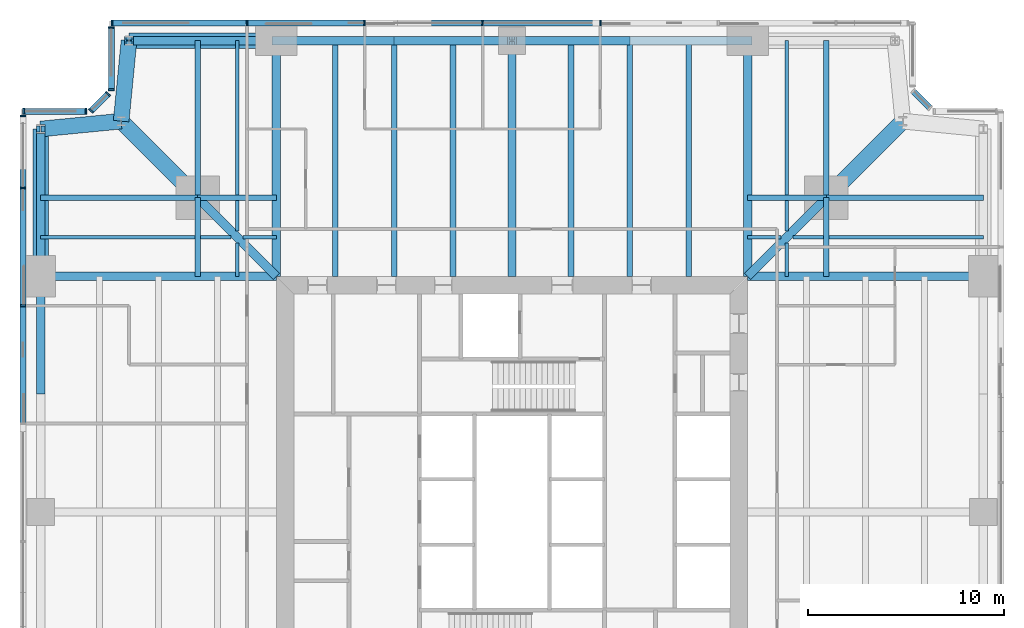
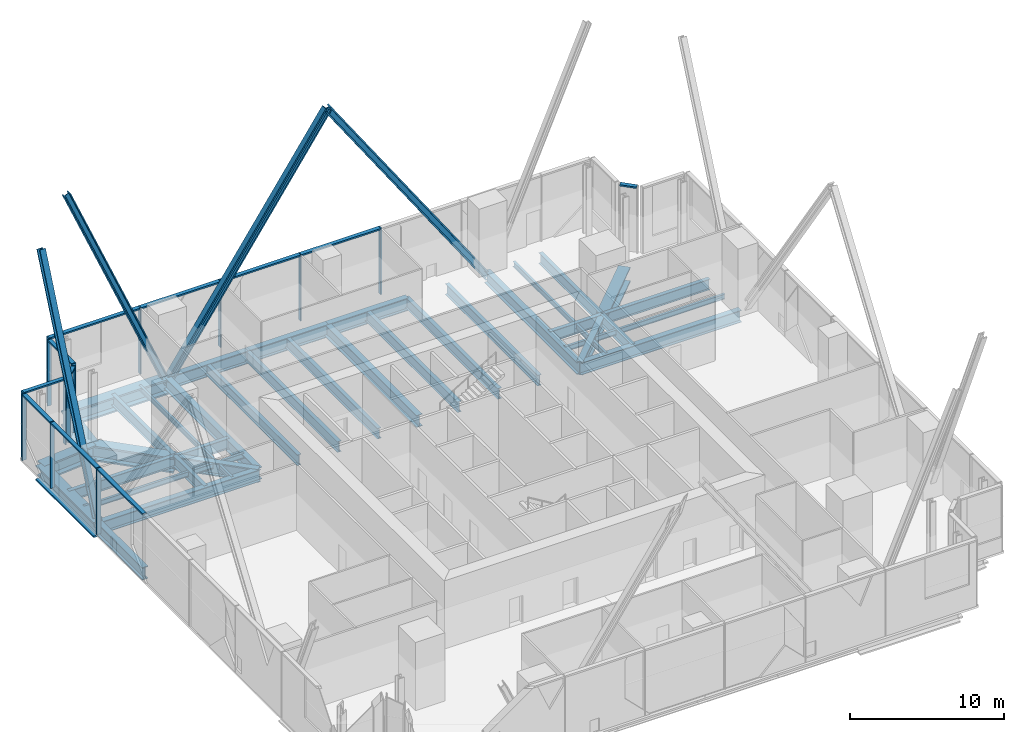
# One storey, part 4 of 13: 43 beams, 29 members, 6 elements without a shape of their own.
"""IFC4 building model written with IfcOpenShell, lengths in metres."""

from ifc_helpers import new_model, si_unit, direction, frame, origin, origin_2d, place, context, subcontext, project, spatial, rectangle, i_section, extrude, material, material_profile, profile_set, type_object, element, aggregate, save


model = new_model("IFC4")

# Units and contexts
model_context = context("Model", 3, precision=1e-05, world=origin(), true_north=direction((0.0, 1.0)))
body_context = subcontext(model_context, "Body", "Model", "MODEL_VIEW")
ifc_project = project(units=[si_unit("LENGTHUNIT", "METRE"), si_unit("AREAUNIT", "SQUARE_METRE"), si_unit("VOLUMEUNIT", "CUBIC_METRE"), si_unit("PLANEANGLEUNIT", "RADIAN"), si_unit("MASSUNIT", "GRAM", prefix="KILO")], contexts=[model_context])

# Site, building, storey
site_placement = place(None, origin())
site = spatial("IfcSite", under=ifc_project, at=site_placement, CompositionType="ELEMENT")
building_placement = place(site_placement, origin())
building = spatial("IfcBuilding", under=site, at=building_placement, Name="Fenwick Lantern Interchange", CompositionType="ELEMENT")
storey_placement = place(building_placement, frame((0.0, 0.0, 97.0)))
storey = spatial("IfcBuildingStorey", under=building, at=storey_placement, Name="L22", CompositionType="ELEMENT", Elevation=97.0)

# Members
ifc_material_1 = material(Name="Steel ASTM A992 Grade 50", Category="steel")
ifc_material_profile_1 = material_profile(ifc_material_1, i_section(OverallWidth=0.424072265625, OverallDepth=0.47509765625, WebThickness=0.0478515625, FlangeThickness=0.0771484375, at=origin_2d()), Name="W14X426")
ifc_profile_set_1 = profile_set([ifc_material_profile_1], Name="Steel ASTM A992 Grade 50")
member_type_1 = type_object("IfcMemberType", Name="FACADE BRACE W14X426", PredefinedType="BRACE", material=ifc_profile_set_1)
for number, where, z_axis, x_axis, name in (
    (1, (13.0, 49.0, -0.696533203125), (-0.394095795697, 0.0, 0.919069368336), (0.0, -1.0, 0.0), "L22/FB/N/BE"),
    (2, (1.0, 37.0, -0.696533203125), (0.0, 0.394095795697, 0.919069368336), (-1.0, 0.0, 0.0), "L22/FB/W/AE"),
):
    element("IfcMember", number, at=place(storey_placement, frame(where, z_axis=z_axis, x_axis=x_axis)), inside=storey, type_object=member_type_1, Name=name, PredefinedType="BRACE", context=body_context, shape_type="SweptSolid", body=[
        extrude(i_section(OverallWidth=0.424072265625, OverallDepth=0.47509765625, WebThickness=0.0478515625, FlangeThickness=0.0771484375, at=origin_2d()), origin(), (0.0, 0.0, 1.0), 19.031005859375),
    ])
ifc_material_profile_2 = material_profile(ifc_material_1, i_section(OverallWidth=0.44189453125, OverallDepth=0.53076171875, WebThickness=0.06591796875, FlangeThickness=0.105712890625, at=origin_2d()), Name="W14X605")
ifc_profile_set_2 = profile_set([ifc_material_profile_2], Name="Steel ASTM A992 Grade 50")
member_type_2 = type_object("IfcMemberType", Name="FACADE BRACE W14X605", PredefinedType="BRACE", material=ifc_profile_set_2)
for number, where, z_axis, x_axis, name in (
    (3, (37.0, 49.0, -0.696533203125), (-0.565732332995, 0.0, 0.824588944507), (0.0, -1.0, 0.0), "L22/FB/N/A"),
    (4, (13.0, 49.0, -0.696533203125), (0.565732332995, 0.0, 0.824588944507), (0.0, 1.0, 0.0), "L22/FB/N/B"),
):
    element("IfcMember", number, at=place(storey_placement, frame(where, z_axis=z_axis, x_axis=x_axis)), inside=storey, type_object=member_type_2, Name=name, PredefinedType="BRACE", context=body_context, shape_type="SweptSolid", body=[
        extrude(i_section(OverallWidth=0.44189453125, OverallDepth=0.53076171875, WebThickness=0.06591796875, FlangeThickness=0.105712890625, at=origin_2d()), origin(), (0.0, 0.0, 1.0), 21.21142578125),
    ])

# Beams
ifc_material_profile_3 = material_profile(ifc_material_1, i_section(OverallWidth=0.2919921875, OverallDepth=0.845703125, WebThickness=0.015380859375, FlangeThickness=0.0244140625, at=origin_2d()), Name="W33X141")
ifc_profile_set_3 = profile_set([ifc_material_profile_3], Name="Steel ASTM A992 Grade 50")
beam_type_1 = type_object("IfcBeamType", Name="FLOOR BEAM W33X141", PredefinedType="BEAM", material=ifc_profile_set_3)
for number, where, z_axis, x_axis, name in (
    (5, (34.0, 49.0, -0.622802734375), (0.0, -1.0, 0.0), (1.0, 0.0, 0.0), "L22/FR/N/R02"),
    (6, (31.0, 49.0, -0.622802734375), (0.0, -1.0, 0.0), (1.0, 0.0, 0.0), "L22/FR/N/R03"),
    (7, (28.0, 49.0, -0.622802734375), (0.0, -1.0, 0.0), (1.0, 0.0, 0.0), "L22/FR/N/R04"),
    (8, (22.0, 49.0, -0.622802734375), (0.0, -1.0, 0.0), (1.0, 0.0, 0.0), "L22/FR/N/R06"),
    (9, (19.0, 49.0, -0.622802734375), (0.0, -1.0, 0.0), (1.0, 0.0, 0.0), "L22/FR/N/R07"),
    (10, (16.0, 49.0, -0.622802734375), (0.0, -1.0, 0.0), (1.0, 0.0, 0.0), "L22/FR/N/R08"),
):
    element("IfcBeam", number, at=place(storey_placement, frame(where, z_axis=z_axis, x_axis=x_axis)), inside=storey, type_object=beam_type_1, Name=name, PredefinedType="BEAM", context=body_context, shape_type="SweptSolid", body=[
        extrude(i_section(OverallWidth=0.2919921875, OverallDepth=0.845703125, WebThickness=0.015380859375, FlangeThickness=0.0244140625, at=origin_2d()), origin(), (0.0, 0.0, 1.0), 12.0),
    ])
ifc_material_profile_4 = material_profile(ifc_material_1, i_section(OverallWidth=0.177734375, OverallDepth=0.406494140625, WebThickness=0.0078125, FlangeThickness=0.012939453125, at=origin_2d()), Name="W16X40")
ifc_profile_set_4 = profile_set([ifc_material_profile_4], Name="Steel ASTM A992 Grade 50")
beam_type_2 = type_object("IfcBeamType", Name="INFILL BEAM W16X40", PredefinedType="JOIST", material=ifc_profile_set_4)
beam_1_placement = place(storey_placement, frame((39.0, 49.0, -0.4033203125), z_axis=(0.0, -1.0, 0.0), x_axis=(1.0, 0.0, 0.0)))
element("IfcBeam", 11, at=beam_1_placement, inside=storey, type_object=beam_type_2, Name="L22/FR/N/J1", PredefinedType="JOIST", context=body_context, shape_type="SweptSolid", body=[
    extrude(i_section(OverallWidth=0.177734375, OverallDepth=0.406494140625, WebThickness=0.0078125, FlangeThickness=0.012939453125, at=origin_2d()), origin(), (0.0, 0.0, 1.0), 7.85400390625),
])
beam_2_placement = place(storey_placement, frame((39.0, 40.85400390625, -0.4033203125), z_axis=(0.0, -1.0, 0.0), x_axis=(1.0, 0.0, 0.0)))
element("IfcBeam", 12, at=beam_2_placement, inside=storey, type_object=beam_type_2, Name="L22/FR/N/J2", PredefinedType="JOIST", context=body_context, shape_type="SweptSolid", body=[
    extrude(i_section(OverallWidth=0.177734375, OverallDepth=0.406494140625, WebThickness=0.0078125, FlangeThickness=0.012939453125, at=origin_2d()), origin(), (0.0, 0.0, 1.0), 1.537841796875),
])
beam_3_placement = place(storey_placement, frame((39.0, 38.683837890625, -0.4033203125), z_axis=(0.0, -1.0, 0.0), x_axis=(1.0, 0.0, 0.0)))
element("IfcBeam", 13, at=beam_3_placement, inside=storey, type_object=beam_type_2, Name="L22/FR/N/J6", PredefinedType="JOIST", context=body_context, shape_type="SweptSolid", body=[
    extrude(i_section(OverallWidth=0.177734375, OverallDepth=0.406494140625, WebThickness=0.0078125, FlangeThickness=0.012939453125, at=origin_2d()), origin(), (0.0, 0.0, 1.0), 1.683837890625),
])
beam_4_placement = place(storey_placement, frame((49.0, 39.0, -0.4033203125), z_axis=(-1.0, 0.0, 0.0), x_axis=(0.0, -1.0, 0.0)))
element("IfcBeam", 14, at=beam_4_placement, inside=storey, type_object=beam_type_2, Name="L22/FR/N/J3", PredefinedType="JOIST", context=body_context, shape_type="SweptSolid", body=[
    extrude(i_section(OverallWidth=0.177734375, OverallDepth=0.406494140625, WebThickness=0.0078125, FlangeThickness=0.012939453125, at=origin_2d()), origin(), (0.0, 0.0, 1.0), 7.85400390625),
])
beam_5_placement = place(storey_placement, frame((40.85400390625, 39.0, -0.4033203125), z_axis=(-1.0, 0.0, 0.0), x_axis=(0.0, -1.0, 0.0)))
element("IfcBeam", 15, at=beam_5_placement, inside=storey, type_object=beam_type_2, Name="L22/FR/N/J4", PredefinedType="JOIST", context=body_context, shape_type="SweptSolid", body=[
    extrude(i_section(OverallWidth=0.177734375, OverallDepth=0.406494140625, WebThickness=0.0078125, FlangeThickness=0.012939453125, at=origin_2d()), origin(), (0.0, 0.0, 1.0), 1.537841796875),
])
beam_6_placement = place(storey_placement, frame((38.683837890625, 39.0, -0.4033203125), z_axis=(-1.0, 0.0, 0.0), x_axis=(0.0, -1.0, 0.0)))
element("IfcBeam", 16, at=beam_6_placement, inside=storey, type_object=beam_type_2, Name="L22/FR/N/J5", PredefinedType="JOIST", context=body_context, shape_type="SweptSolid", body=[
    extrude(i_section(OverallWidth=0.177734375, OverallDepth=0.406494140625, WebThickness=0.0078125, FlangeThickness=0.012939453125, at=origin_2d()), origin(), (0.0, 0.0, 1.0), 1.683837890625),
])
beam_7_placement = place(storey_placement, frame((1.0, 39.0, -0.4033203125), z_axis=(1.0, 0.0, 0.0), x_axis=(0.0, 1.0, 0.0)))
element("IfcBeam", 17, at=beam_7_placement, inside=storey, type_object=beam_type_2, Name="L22/FR/W/J1", PredefinedType="JOIST", context=body_context, shape_type="SweptSolid", body=[
    extrude(i_section(OverallWidth=0.177734375, OverallDepth=0.406494140625, WebThickness=0.0078125, FlangeThickness=0.012939453125, at=origin_2d()), origin(), (0.0, 0.0, 1.0), 7.85400390625),
])
beam_8_placement = place(storey_placement, frame((9.14599609375, 39.0, -0.4033203125), z_axis=(1.0, 0.0, 0.0), x_axis=(0.0, 1.0, 0.0)))
element("IfcBeam", 18, at=beam_8_placement, inside=storey, type_object=beam_type_2, Name="L22/FR/W/J2", PredefinedType="JOIST", context=body_context, shape_type="SweptSolid", body=[
    extrude(i_section(OverallWidth=0.177734375, OverallDepth=0.406494140625, WebThickness=0.0078125, FlangeThickness=0.012939453125, at=origin_2d()), origin(), (0.0, 0.0, 1.0), 1.537841796875),
])
beam_9_placement = place(storey_placement, frame((11.316162109375, 39.0, -0.4033203125), z_axis=(1.0, 0.0, 0.0), x_axis=(0.0, 1.0, 0.0)))
element("IfcBeam", 19, at=beam_9_placement, inside=storey, type_object=beam_type_2, Name="L22/FR/W/J6", PredefinedType="JOIST", context=body_context, shape_type="SweptSolid", body=[
    extrude(i_section(OverallWidth=0.177734375, OverallDepth=0.406494140625, WebThickness=0.0078125, FlangeThickness=0.012939453125, at=origin_2d()), origin(), (0.0, 0.0, 1.0), 1.683837890625),
])
beam_10_placement = place(storey_placement, frame((11.0, 49.0, -0.4033203125), z_axis=(0.0, -1.0, 0.0), x_axis=(1.0, 0.0, 0.0)))
element("IfcBeam", 20, at=beam_10_placement, inside=storey, type_object=beam_type_2, Name="L22/FR/W/J3", PredefinedType="JOIST", context=body_context, shape_type="SweptSolid", body=[
    extrude(i_section(OverallWidth=0.177734375, OverallDepth=0.406494140625, WebThickness=0.0078125, FlangeThickness=0.012939453125, at=origin_2d()), origin(), (0.0, 0.0, 1.0), 7.85400390625),
])
beam_11_placement = place(storey_placement, frame((11.0, 40.85400390625, -0.4033203125), z_axis=(0.0, -1.0, 0.0), x_axis=(1.0, 0.0, 0.0)))
element("IfcBeam", 21, at=beam_11_placement, inside=storey, type_object=beam_type_2, Name="L22/FR/W/J4", PredefinedType="JOIST", context=body_context, shape_type="SweptSolid", body=[
    extrude(i_section(OverallWidth=0.177734375, OverallDepth=0.406494140625, WebThickness=0.0078125, FlangeThickness=0.012939453125, at=origin_2d()), origin(), (0.0, 0.0, 1.0), 1.537841796875),
])
beam_12_placement = place(storey_placement, frame((11.0, 38.683837890625, -0.4033203125), z_axis=(0.0, -1.0, 0.0), x_axis=(1.0, 0.0, 0.0)))
element("IfcBeam", 22, at=beam_12_placement, inside=storey, type_object=beam_type_2, Name="L22/FR/W/J5", PredefinedType="JOIST", context=body_context, shape_type="SweptSolid", body=[
    extrude(i_section(OverallWidth=0.177734375, OverallDepth=0.406494140625, WebThickness=0.0078125, FlangeThickness=0.012939453125, at=origin_2d()), origin(), (0.0, 0.0, 1.0), 1.683837890625),
])
ifc_material_profile_5 = material_profile(ifc_material_1, i_section(OverallWidth=0.2919921875, OverallDepth=0.845703125, WebThickness=0.015380859375, FlangeThickness=0.0244140625, at=origin_2d()), Name="W33X141")
ifc_profile_set_5 = profile_set([ifc_material_profile_5], Name="Steel ASTM A992 Grade 50")
beam_type_3 = type_object("IfcBeamType", Name="MEGA COLUMN BEAM W33X141", PredefinedType="BEAM", material=ifc_profile_set_5)
for number, where, z_axis, x_axis, name in (
    (23, (41.0, 41.0, -0.622802734375), (0.0, 1.0, 0.0), (-1.0, 0.0, 0.0), "L22/FR/N/MB1"),
    (24, (41.0, 41.0, -0.622802734375), (1.0, 0.0, 0.0), (0.0, 1.0, 0.0), "L22/FR/N/MB2"),
):
    element("IfcBeam", number, at=place(storey_placement, frame(where, z_axis=z_axis, x_axis=x_axis)), inside=storey, type_object=beam_type_3, Name=name, PredefinedType="BEAM", context=body_context, shape_type="SweptSolid", body=[
        extrude(i_section(OverallWidth=0.2919921875, OverallDepth=0.845703125, WebThickness=0.015380859375, FlangeThickness=0.0244140625, at=origin_2d()), origin(), (0.0, 0.0, 1.0), 8.0),
    ])
for number, where, z_axis, x_axis, name in (
    (25, (41.0, 41.0, -0.622802734375), (-1.0, 0.0, 0.0), (0.0, -1.0, 0.0), "L22/FR/N/MB3"),
    (26, (41.0, 41.0, -0.622802734375), (0.0, -1.0, 0.0), (1.0, 0.0, 0.0), "L22/FR/N/MB4"),
):
    element("IfcBeam", number, at=place(storey_placement, frame(where, z_axis=z_axis, x_axis=x_axis)), inside=storey, type_object=beam_type_3, Name=name, PredefinedType="BEAM", context=body_context, shape_type="SweptSolid", body=[
        extrude(i_section(OverallWidth=0.2919921875, OverallDepth=0.845703125, WebThickness=0.015380859375, FlangeThickness=0.0244140625, at=origin_2d()), origin(), (0.0, 0.0, 1.0), 4.0),
    ])
for number, where, z_axis, x_axis, name in (
    (27, (9.0, 41.0, -0.622802734375), (-1.0, 0.0, 0.0), (0.0, -1.0, 0.0), "L22/FR/W/MB1"),
    (28, (9.0, 41.0, -0.622802734375), (0.0, 1.0, 0.0), (-1.0, 0.0, 0.0), "L22/FR/W/MB2"),
):
    element("IfcBeam", number, at=place(storey_placement, frame(where, z_axis=z_axis, x_axis=x_axis)), inside=storey, type_object=beam_type_3, Name=name, PredefinedType="BEAM", context=body_context, shape_type="SweptSolid", body=[
        extrude(i_section(OverallWidth=0.2919921875, OverallDepth=0.845703125, WebThickness=0.015380859375, FlangeThickness=0.0244140625, at=origin_2d()), origin(), (0.0, 0.0, 1.0), 8.0),
    ])
for number, where, z_axis, x_axis, name in (
    (29, (9.0, 41.0, -0.622802734375), (0.0, -1.0, 0.0), (1.0, 0.0, 0.0), "L22/FR/W/MB3"),
    (30, (9.0, 41.0, -0.622802734375), (1.0, 0.0, 0.0), (0.0, 1.0, 0.0), "L22/FR/W/MB4"),
):
    element("IfcBeam", number, at=place(storey_placement, frame(where, z_axis=z_axis, x_axis=x_axis)), inside=storey, type_object=beam_type_3, Name=name, PredefinedType="BEAM", context=body_context, shape_type="SweptSolid", body=[
        extrude(i_section(OverallWidth=0.2919921875, OverallDepth=0.845703125, WebThickness=0.015380859375, FlangeThickness=0.0244140625, at=origin_2d()), origin(), (0.0, 0.0, 1.0), 4.0),
    ])
ifc_material_profile_6 = material_profile(ifc_material_1, i_section(OverallWidth=0.424072265625, OverallDepth=0.947509765625, WebThickness=0.02392578125, FlangeThickness=0.042724609375, at=origin_2d()), Name="W36X302")
ifc_profile_set_6 = profile_set([ifc_material_profile_6], Name="Steel ASTM A992 Grade 50")
beam_type_4 = type_object("IfcBeamType", Name="MOMENT-CONNECTED GIRDER W36X302", PredefinedType="BEAM", material=ifc_profile_set_6)
for number, where, z_axis, x_axis, name in (
    (31, (49.0, 37.0, -0.673828125), (-1.0, 0.0, 0.0), (0.0, -1.0, 0.0), "L22/FR/E/R03"),
    (32, (37.0, 49.0, -0.673828125), (0.0, -1.0, 0.0), (1.0, 0.0, 0.0), "L22/FR/N/R01"),
    (33, (25.0, 49.0, -0.673828125), (0.0, -1.0, 0.0), (1.0, 0.0, 0.0), "L22/FR/N/R05"),
    (34, (13.0, 49.0, -0.673828125), (0.0, -1.0, 0.0), (1.0, 0.0, 0.0), "L22/FR/N/R09"),
    (35, (1.0, 37.0, -0.673828125), (1.0, 0.0, 0.0), (0.0, 1.0, 0.0), "L22/FR/W/R01"),
):
    element("IfcBeam", number, at=place(storey_placement, frame(where, z_axis=z_axis, x_axis=x_axis)), inside=storey, type_object=beam_type_4, Name=name, PredefinedType="BEAM", context=body_context, shape_type="SweptSolid", body=[
        extrude(i_section(OverallWidth=0.424072265625, OverallDepth=0.947509765625, WebThickness=0.02392578125, FlangeThickness=0.042724609375, at=origin_2d()), origin(), (0.0, 0.0, 1.0), 12.0),
    ])
ifc_material_2 = material(Name="Steel ASTM A572 Grade 42", Category="steel")
ifc_material_profile_7 = material_profile(ifc_material_2, i_section(OverallWidth=0.800048828125, OverallDepth=1.199951171875, WebThickness=0.06005859375, FlangeThickness=0.1201171875, at=origin_2d()), Name="BU1200X800")
ifc_profile_set_7 = profile_set([ifc_material_profile_7], Name="Steel ASTM A572 Grade 42")
beam_type_5 = type_object("IfcBeamType", Name="MOMENT-CONNECTED TRANSFER GIRDER BU1200X800", PredefinedType="BEAM", material=ifc_profile_set_7)
beam_13_placement = place(storey_placement, frame((13.0, 49.0, -0.800048828125), z_axis=(-1.0, 0.0, 0.0), x_axis=(0.0, -1.0, 0.0)))
element("IfcBeam", 36, at=beam_13_placement, inside=storey, type_object=beam_type_5, Name="L22/FR/N/EB6", PredefinedType="BEAM", context=body_context, shape_type="SweptSolid", body=[
    extrude(i_section(OverallWidth=0.800048828125, OverallDepth=1.199951171875, WebThickness=0.06005859375, FlangeThickness=0.1201171875, at=origin_2d()), origin(), (0.0, 0.0, 1.0), 7.5),
])
for number, where, z_axis, x_axis, name in (
    (37, (5.5, 49.0, -0.800048828125), (-0.097074191287, -0.995277148028, 0.0), (0.995277148028, -0.097074191287, 0.0), "L22/FR/N/EBR1"),
    (38, (5.10009765625, 44.89990234375, -0.800048828125), (-0.995277148028, -0.097074191287, 0.0), (0.097074191287, -0.995277148028, 0.0), "L22/FR/N/EBR2"),
):
    element("IfcBeam", number, at=place(storey_placement, frame(where, z_axis=z_axis, x_axis=x_axis)), inside=storey, type_object=beam_type_5, Name=name, PredefinedType="BEAM", context=body_context, shape_type="SweptSolid", body=[
        extrude(i_section(OverallWidth=0.800048828125, OverallDepth=1.199951171875, WebThickness=0.06005859375, FlangeThickness=0.1201171875, at=origin_2d()), origin(), (0.0, 0.0, 1.0), 4.11962890625),
    ])
beam_14_placement = place(storey_placement, frame((41.0, 41.0, -0.800048828125), z_axis=(0.707106781187, 0.707106781187, 0.0), x_axis=(-0.707106781187, 0.707106781187, 0.0)))
element("IfcBeam", 39, at=beam_14_placement, inside=storey, type_object=beam_type_5, Name="L22/FR/N/TG", PredefinedType="BEAM", context=body_context, shape_type="SweptSolid", body=[
    extrude(i_section(OverallWidth=0.800048828125, OverallDepth=1.199951171875, WebThickness=0.06005859375, FlangeThickness=0.1201171875, at=origin_2d()), origin(), (0.0, 0.0, 1.0), 5.515380859375),
])
beam_15_placement = place(storey_placement, frame((1.0, 44.5, -0.800048828125), z_axis=(0.0, -1.0, 0.0), x_axis=(1.0, 0.0, 0.0)))
element("IfcBeam", 40, at=beam_15_placement, inside=storey, type_object=beam_type_5, Name="L22/FR/W/EB1", PredefinedType="BEAM", context=body_context, shape_type="SweptSolid", body=[
    extrude(i_section(OverallWidth=0.800048828125, OverallDepth=1.199951171875, WebThickness=0.06005859375, FlangeThickness=0.1201171875, at=origin_2d()), origin(), (0.0, 0.0, 1.0), 7.5),
])
beam_16_placement = place(storey_placement, frame((9.0, 41.0, -0.800048828125), z_axis=(-0.707106781187, 0.707106781187, 0.0), x_axis=(-0.707106781187, -0.707106781187, 0.0)))
element("IfcBeam", 41, at=beam_16_placement, inside=storey, type_object=beam_type_5, Name="L22/FR/W/TG", PredefinedType="BEAM", context=body_context, shape_type="SweptSolid", body=[
    extrude(i_section(OverallWidth=0.800048828125, OverallDepth=1.199951171875, WebThickness=0.06005859375, FlangeThickness=0.1201171875, at=origin_2d()), origin(), (0.0, 0.0, 1.0), 5.515380859375),
])
ifc_material_profile_8 = material_profile(ifc_material_1, i_section(OverallWidth=0.447021484375, OverallDepth=1.0439453125, WebThickness=0.050048828125, FlangeThickness=0.08984375, at=origin_2d()), Name="W36X652")
ifc_profile_set_8 = profile_set([ifc_material_profile_8], Name="Steel ASTM A992 Grade 50")
beam_type_6 = type_object("IfcBeamType", Name="OUTRIGGER CHORD W36X652", PredefinedType="BEAM", material=ifc_profile_set_8)
for number, where, z_axis, x_axis, name in (
    (42, (37.0, 37.0, -0.721923828125), (0.707106781187, 0.707106781187, 0.0), (-0.707106781187, 0.707106781187, 0.0), "L22/OR/N/TC"),
    (43, (13.0, 37.0, -0.721923828125), (-0.707106781187, 0.707106781187, 0.0), (-0.707106781187, -0.707106781187, 0.0), "L22/OR/W/TC"),
):
    element("IfcBeam", number, at=place(storey_placement, frame(where, z_axis=z_axis, x_axis=x_axis)), inside=storey, type_object=beam_type_6, Name=name, PredefinedType="BEAM", context=body_context, shape_type="SweptSolid", body=[
        extrude(i_section(OverallWidth=0.447021484375, OverallDepth=1.0439453125, WebThickness=0.050048828125, FlangeThickness=0.08984375, at=origin_2d()), origin(), (0.0, 0.0, 1.0), 5.65673828125),
    ])

# Curtain wall, members
ifc_material_3 = material(Name="Aluminium curtain wall frame", Category="aluminium")
curtain_wall_type = type_object("IfcCurtainWallType", Name="SKY LOBBY GLAZING", PredefinedType="USERDEFINED", material=ifc_material_3)
curtain_wall_1_placement = place(storey_placement, origin())
curtain_wall_1 = element("IfcCurtainWall", 44, at=curtain_wall_1_placement, inside=storey, type_object=curtain_wall_type, Name="Sky lobby glazing 09", ObjectType="SKY LOBBY GLAZING", PredefinedType="USERDEFINED")
ifc_material_4 = material(Name="Aluminium extrusion", Category="aluminium")
ifc_material_profile_9 = material_profile(ifc_material_4, rectangle(XDim=0.300048828125, YDim=0.080078125, at=origin_2d()), Name="SKY LOBBY GLAZING MULLION 80 X 300")
ifc_profile_set_9 = profile_set([ifc_material_profile_9], Name="Aluminium extrusion")
member_type_3 = type_object("IfcMemberType", Name="SKY LOBBY GLAZING MULLION 80 X 300", PredefinedType="MULLION", material=ifc_profile_set_9)
member_1_placement = place(storey_placement, frame((29.5, 49.89990234375, 0.0), z_axis=(0.0, 0.0, 1.0), x_axis=(0.0, -1.0, 0.0)))
member_1 = element("IfcMember", 45, at=member_1_placement, type_object=member_type_3, Name="L22/CW/09/M03", PredefinedType="MULLION", context=body_context, shape_type="SweptSolid", body=[
    extrude(rectangle(XDim=0.300048828125, YDim=0.080078125, at=origin_2d()), origin(), (0.0, 0.0, 1.0), 5.25),
])
member_2_placement = place(storey_placement, frame((23.5, 49.89990234375, 0.0), z_axis=(0.0, 0.0, 1.0), x_axis=(0.0, -1.0, 0.0)))
member_2 = element("IfcMember", 46, at=member_2_placement, type_object=member_type_3, Name="L22/CW/09/M04", PredefinedType="MULLION", context=body_context, shape_type="SweptSolid", body=[
    extrude(rectangle(XDim=0.300048828125, YDim=0.080078125, at=origin_2d()), origin(), (0.0, 0.0, 1.0), 5.25),
])
member_3_placement = place(storey_placement, frame((17.5, 49.89990234375, 0.0), z_axis=(0.0, 0.0, 1.0), x_axis=(0.0, -1.0, 0.0)))
member_3 = element("IfcMember", 47, at=member_3_placement, type_object=member_type_3, Name="L22/CW/09/M05", PredefinedType="MULLION", context=body_context, shape_type="SweptSolid", body=[
    extrude(rectangle(XDim=0.300048828125, YDim=0.080078125, at=origin_2d()), origin(), (0.0, 0.0, 1.0), 5.25),
])
member_4_placement = place(storey_placement, frame((11.5, 49.89990234375, 0.0), z_axis=(0.0, 0.0, 1.0), x_axis=(0.0, -1.0, 0.0)))
member_4 = element("IfcMember", 48, at=member_4_placement, type_object=member_type_3, Name="L22/CW/09/M06", PredefinedType="MULLION", context=body_context, shape_type="SweptSolid", body=[
    extrude(rectangle(XDim=0.300048828125, YDim=0.080078125, at=origin_2d()), origin(), (0.0, 0.0, 1.0), 5.25),
])
member_5_placement = place(storey_placement, frame((4.639892578125, 49.89990234375, 0.0), z_axis=(0.0, 0.0, 1.0), x_axis=(0.0, -1.0, 0.0)))
member_5 = element("IfcMember", 49, at=member_5_placement, type_object=member_type_3, Name="L22/CW/09/M07", PredefinedType="MULLION", context=body_context, shape_type="SweptSolid", body=[
    extrude(rectangle(XDim=0.300048828125, YDim=0.080078125, at=origin_2d()), origin(), (0.0, 0.0, 1.0), 5.25),
])

curtain_wall_2_placement = place(storey_placement, origin())
curtain_wall_2 = element("IfcCurtainWall", 50, at=curtain_wall_2_placement, inside=storey, type_object=curtain_wall_type, Name="Sky lobby glazing 10", ObjectType="SKY LOBBY GLAZING", PredefinedType="USERDEFINED")
member_6_placement = place(storey_placement, frame((4.60009765625, 49.659912109375, 0.0), z_axis=(0.0, 0.0, 1.0), x_axis=(1.0, 0.0, 0.0)))
member_6 = element("IfcMember", 51, at=member_6_placement, type_object=member_type_3, Name="L22/CW/10/M00", PredefinedType="MULLION", context=body_context, shape_type="SweptSolid", body=[
    extrude(rectangle(XDim=0.300048828125, YDim=0.080078125, at=origin_2d()), origin(), (0.0, 0.0, 1.0), 5.25),
])
member_7_placement = place(storey_placement, frame((4.60009765625, 46.49853515625, 0.0), z_axis=(0.0, 0.0, 1.0), x_axis=(1.0, 0.0, 0.0)))
member_7 = element("IfcMember", 52, at=member_7_placement, type_object=member_type_3, Name="L22/CW/10/M01", PredefinedType="MULLION", context=body_context, shape_type="SweptSolid", body=[
    extrude(rectangle(XDim=0.300048828125, YDim=0.080078125, at=origin_2d()), origin(), (0.0, 0.0, 1.0), 5.25),
])

curtain_wall_3_placement = place(storey_placement, origin())
curtain_wall_3 = element("IfcCurtainWall", 53, at=curtain_wall_3_placement, inside=storey, type_object=curtain_wall_type, Name="Sky lobby glazing 11", ObjectType="SKY LOBBY GLAZING", PredefinedType="USERDEFINED")
member_8_placement = place(storey_placement, frame((4.43017578125, 46.288818359375, 0.0), z_axis=(0.0, 0.0, 1.0), x_axis=(0.707106781187, -0.707106781187, 0.0)))
member_8 = element("IfcMember", 54, at=member_8_placement, type_object=member_type_3, Name="L22/CW/11/M00", PredefinedType="MULLION", context=body_context, shape_type="SweptSolid", body=[
    extrude(rectangle(XDim=0.300048828125, YDim=0.080078125, at=origin_2d()), origin(), (0.0, 0.0, 1.0), 5.25),
])
member_9_placement = place(storey_placement, frame((3.56982421875, 45.42822265625, 0.0), z_axis=(0.0, 0.0, 1.0), x_axis=(0.707106781187, -0.707106781187, 0.0)))
member_9 = element("IfcMember", 55, at=member_9_placement, type_object=member_type_3, Name="L22/CW/11/M01", PredefinedType="MULLION", context=body_context, shape_type="SweptSolid", body=[
    extrude(rectangle(XDim=0.300048828125, YDim=0.080078125, at=origin_2d()), origin(), (0.0, 0.0, 1.0), 5.25),
])

curtain_wall_4_placement = place(storey_placement, origin())
curtain_wall_4 = element("IfcCurtainWall", 56, at=curtain_wall_4_placement, inside=storey, type_object=curtain_wall_type, Name="Sky lobby glazing 12", ObjectType="SKY LOBBY GLAZING", PredefinedType="USERDEFINED")
member_10_placement = place(storey_placement, frame((3.301513671875, 45.39990234375, 0.0), z_axis=(0.0, 0.0, 1.0), x_axis=(0.0, -1.0, 0.0)))
member_10 = element("IfcMember", 57, at=member_10_placement, type_object=member_type_3, Name="L22/CW/12/M00", PredefinedType="MULLION", context=body_context, shape_type="SweptSolid", body=[
    extrude(rectangle(XDim=0.300048828125, YDim=0.080078125, at=origin_2d()), origin(), (0.0, 0.0, 1.0), 5.25),
])
member_11_placement = place(storey_placement, frame((0.139892578125, 45.39990234375, 0.0), z_axis=(0.0, 0.0, 1.0), x_axis=(0.0, -1.0, 0.0)))
member_11 = element("IfcMember", 58, at=member_11_placement, type_object=member_type_3, Name="L22/CW/12/M01", PredefinedType="MULLION", context=body_context, shape_type="SweptSolid", body=[
    extrude(rectangle(XDim=0.300048828125, YDim=0.080078125, at=origin_2d()), origin(), (0.0, 0.0, 1.0), 5.25),
])

curtain_wall_5_placement = place(storey_placement, origin())
curtain_wall_5 = element("IfcCurtainWall", 59, at=curtain_wall_5_placement, inside=storey, type_object=curtain_wall_type, Name="Sky lobby glazing 13", ObjectType="SKY LOBBY GLAZING", PredefinedType="USERDEFINED")
member_12_placement = place(storey_placement, frame((0.10009765625, 45.159912109375, 0.0), z_axis=(0.0, 0.0, 1.0), x_axis=(1.0, 0.0, 0.0)))
member_12 = element("IfcMember", 60, at=member_12_placement, type_object=member_type_3, Name="L22/CW/13/M00", PredefinedType="MULLION", context=body_context, shape_type="SweptSolid", body=[
    extrude(rectangle(XDim=0.300048828125, YDim=0.080078125, at=origin_2d()), origin(), (0.0, 0.0, 1.0), 5.25),
])
member_13_placement = place(storey_placement, frame((0.10009765625, 41.5, 0.0), z_axis=(0.0, 0.0, 1.0), x_axis=(1.0, 0.0, 0.0)))
member_13 = element("IfcMember", 61, at=member_13_placement, type_object=member_type_3, Name="L22/CW/13/M01", PredefinedType="MULLION", context=body_context, shape_type="SweptSolid", body=[
    extrude(rectangle(XDim=0.300048828125, YDim=0.080078125, at=origin_2d()), origin(), (0.0, 0.0, 1.0), 5.25),
])
member_14_placement = place(storey_placement, frame((0.10009765625, 35.5, 0.0), z_axis=(0.0, 0.0, 1.0), x_axis=(1.0, 0.0, 0.0)))
member_14 = element("IfcMember", 62, at=member_14_placement, type_object=member_type_3, Name="L22/CW/13/M02", PredefinedType="MULLION", context=body_context, shape_type="SweptSolid", body=[
    extrude(rectangle(XDim=0.300048828125, YDim=0.080078125, at=origin_2d()), origin(), (0.0, 0.0, 1.0), 5.25),
])

# Curtain wall, member
curtain_wall_6_placement = place(storey_placement, origin())
curtain_wall_6 = element("IfcCurtainWall", 63, at=curtain_wall_6_placement, inside=storey, type_object=curtain_wall_type, Name="Sky lobby glazing 07", ObjectType="SKY LOBBY GLAZING", PredefinedType="USERDEFINED")
ifc_material_profile_10 = material_profile(ifc_material_4, rectangle(XDim=0.300048828125, YDim=0.1201171875, at=origin_2d()), Name="SKY LOBBY GLAZING TRANSOM 120 X 300")
ifc_profile_set_10 = profile_set([ifc_material_profile_10], Name="Aluminium extrusion")
member_type_4 = type_object("IfcMemberType", Name="SKY LOBBY GLAZING TRANSOM 120 X 300", PredefinedType="MULLION", material=ifc_profile_set_10)
member_15_placement = place(storey_placement, frame((46.260498046875, 45.597900390625, 5.18994140625), z_axis=(-0.706999424203, 0.707214121873, 0.0), x_axis=(-0.707214121873, -0.706999424203, 0.0)))
member_15 = element("IfcMember", 64, at=member_15_placement, type_object=member_type_4, Name="L22/CW/07/T00", PredefinedType="MULLION", context=body_context, shape_type="SweptSolid", body=[
    extrude(rectangle(XDim=0.300048828125, YDim=0.1201171875, at=origin_2d()), origin(), (0.0, 0.0, 1.0), 1.13720703125),
])
aggregate(curtain_wall_6, [member_15])

# Member
member_16_placement = place(storey_placement, frame((29.4599609375, 49.89990234375, 5.18994140625), z_axis=(-1.0, 0.0, 0.0), x_axis=(0.0, -1.0, 0.0)))
member_16 = element("IfcMember", 65, at=member_16_placement, type_object=member_type_4, Name="L22/CW/09/T03", PredefinedType="MULLION", context=body_context, shape_type="SweptSolid", body=[
    extrude(rectangle(XDim=0.300048828125, YDim=0.1201171875, at=origin_2d()), origin(), (0.0, 0.0, 1.0), 5.919921875),
])

member_17_placement = place(storey_placement, frame((23.4599609375, 49.89990234375, 5.18994140625), z_axis=(-1.0, 0.0, 0.0), x_axis=(0.0, -1.0, 0.0)))
member_17 = element("IfcMember", 66, at=member_17_placement, type_object=member_type_4, Name="L22/CW/09/T04", PredefinedType="MULLION", context=body_context, shape_type="SweptSolid", body=[
    extrude(rectangle(XDim=0.300048828125, YDim=0.1201171875, at=origin_2d()), origin(), (0.0, 0.0, 1.0), 5.919921875),
])

member_18_placement = place(storey_placement, frame((17.4599609375, 49.89990234375, 5.18994140625), z_axis=(-1.0, 0.0, 0.0), x_axis=(0.0, -1.0, 0.0)))
member_18 = element("IfcMember", 67, at=member_18_placement, type_object=member_type_4, Name="L22/CW/09/T05", PredefinedType="MULLION", context=body_context, shape_type="SweptSolid", body=[
    extrude(rectangle(XDim=0.300048828125, YDim=0.1201171875, at=origin_2d()), origin(), (0.0, 0.0, 1.0), 5.919921875),
])

member_19_placement = place(storey_placement, frame((11.4599609375, 49.89990234375, 5.18994140625), z_axis=(-1.0, 0.0, 0.0), x_axis=(0.0, -1.0, 0.0)))
member_19 = element("IfcMember", 68, at=member_19_placement, type_object=member_type_4, Name="L22/CW/09/T06", PredefinedType="MULLION", context=body_context, shape_type="SweptSolid", body=[
    extrude(rectangle(XDim=0.300048828125, YDim=0.1201171875, at=origin_2d()), origin(), (0.0, 0.0, 1.0), 6.780029296875),
])

aggregate(curtain_wall_1, [member_1, member_2, member_3, member_4, member_5, member_16, member_17, member_18, member_19])

member_20_placement = place(storey_placement, frame((4.60009765625, 49.6201171875, 5.18994140625), z_axis=(0.0, -1.0, 0.0), x_axis=(1.0, 0.0, 0.0)))
member_20 = element("IfcMember", 69, at=member_20_placement, type_object=member_type_4, Name="L22/CW/10/T00", PredefinedType="MULLION", context=body_context, shape_type="SweptSolid", body=[
    extrude(rectangle(XDim=0.300048828125, YDim=0.1201171875, at=origin_2d()), origin(), (0.0, 0.0, 1.0), 3.08154296875),
])

aggregate(curtain_wall_2, [member_6, member_7, member_20])

member_21_placement = place(storey_placement, frame((4.402099609375, 46.260498046875, 5.18994140625), z_axis=(-0.707214121873, -0.706999424203, 0.0), x_axis=(0.706999424203, -0.707214121873, 0.0)))
member_21 = element("IfcMember", 70, at=member_21_placement, type_object=member_type_4, Name="L22/CW/11/T00", PredefinedType="MULLION", context=body_context, shape_type="SweptSolid", body=[
    extrude(rectangle(XDim=0.300048828125, YDim=0.1201171875, at=origin_2d()), origin(), (0.0, 0.0, 1.0), 1.13720703125),
])

aggregate(curtain_wall_3, [member_8, member_9, member_21])

member_22_placement = place(storey_placement, frame((3.261474609375, 45.39990234375, 5.18994140625), z_axis=(-1.0, 0.0, 0.0), x_axis=(0.0, -1.0, 0.0)))
member_22 = element("IfcMember", 71, at=member_22_placement, type_object=member_type_4, Name="L22/CW/12/T00", PredefinedType="MULLION", context=body_context, shape_type="SweptSolid", body=[
    extrude(rectangle(XDim=0.300048828125, YDim=0.1201171875, at=origin_2d()), origin(), (0.0, 0.0, 1.0), 3.08154296875),
])

aggregate(curtain_wall_4, [member_10, member_11, member_22])

member_23_placement = place(storey_placement, frame((0.10009765625, 45.1201171875, 5.18994140625), z_axis=(0.0, -1.0, 0.0), x_axis=(1.0, 0.0, 0.0)))
member_23 = element("IfcMember", 72, at=member_23_placement, type_object=member_type_4, Name="L22/CW/13/T00", PredefinedType="MULLION", context=body_context, shape_type="SweptSolid", body=[
    extrude(rectangle(XDim=0.300048828125, YDim=0.1201171875, at=origin_2d()), origin(), (0.0, 0.0, 1.0), 3.580078125),
])

member_24_placement = place(storey_placement, frame((0.10009765625, 41.4599609375, 5.18994140625), z_axis=(0.0, -1.0, 0.0), x_axis=(1.0, 0.0, 0.0)))
member_24 = element("IfcMember", 73, at=member_24_placement, type_object=member_type_4, Name="L22/CW/13/T01", PredefinedType="MULLION", context=body_context, shape_type="SweptSolid", body=[
    extrude(rectangle(XDim=0.300048828125, YDim=0.1201171875, at=origin_2d()), origin(), (0.0, 0.0, 1.0), 5.919921875),
])

member_25_placement = place(storey_placement, frame((0.10009765625, 35.4599609375, 5.18994140625), z_axis=(0.0, -1.0, 0.0), x_axis=(1.0, 0.0, 0.0)))
member_25 = element("IfcMember", 74, at=member_25_placement, type_object=member_type_4, Name="L22/CW/13/T02", PredefinedType="MULLION", context=body_context, shape_type="SweptSolid", body=[
    extrude(rectangle(XDim=0.300048828125, YDim=0.1201171875, at=origin_2d()), origin(), (0.0, 0.0, 1.0), 5.919921875),
])

aggregate(curtain_wall_5, [member_12, member_13, member_14, member_23, member_24, member_25])

# Beams
ifc_material_profile_11 = material_profile(ifc_material_1, i_section(OverallWidth=0.434326171875, OverallDepth=0.9931640625, WebThickness=0.0380859375, FlangeThickness=0.06396484375, at=origin_2d()), Name="W36X487")
ifc_profile_set_11 = profile_set([ifc_material_profile_11], Name="Steel ASTM A992 Grade 50")
beam_type_7 = type_object("IfcBeamType", Name="TRUSS CHORD EDGE BEAM W36X487", PredefinedType="BEAM", material=ifc_profile_set_11)
for number, where, z_axis, x_axis, name in (
    (75, (31.0, 49.0, -0.696533203125), (-1.0, 0.0, 0.0), (0.0, -1.0, 0.0), "L22/FR/N/EB3"),
    (76, (25.0, 49.0, -0.696533203125), (-1.0, 0.0, 0.0), (0.0, -1.0, 0.0), "L22/FR/N/EB4"),
    (77, (19.0, 49.0, -0.696533203125), (-1.0, 0.0, 0.0), (0.0, -1.0, 0.0), "L22/FR/N/EB5"),
    (78, (1.0, 37.0, -0.696533203125), (0.0, -1.0, 0.0), (1.0, 0.0, 0.0), "L22/FR/W/EB2"),
):
    element("IfcBeam", number, at=place(storey_placement, frame(where, z_axis=z_axis, x_axis=x_axis)), inside=storey, type_object=beam_type_7, Name=name, PredefinedType="BEAM", context=body_context, shape_type="SweptSolid", body=[
        extrude(i_section(OverallWidth=0.434326171875, OverallDepth=0.9931640625, WebThickness=0.0380859375, FlangeThickness=0.06396484375, at=origin_2d()), origin(), (0.0, 0.0, 1.0), 6.0),
    ])

save(model, "model.ifc")
